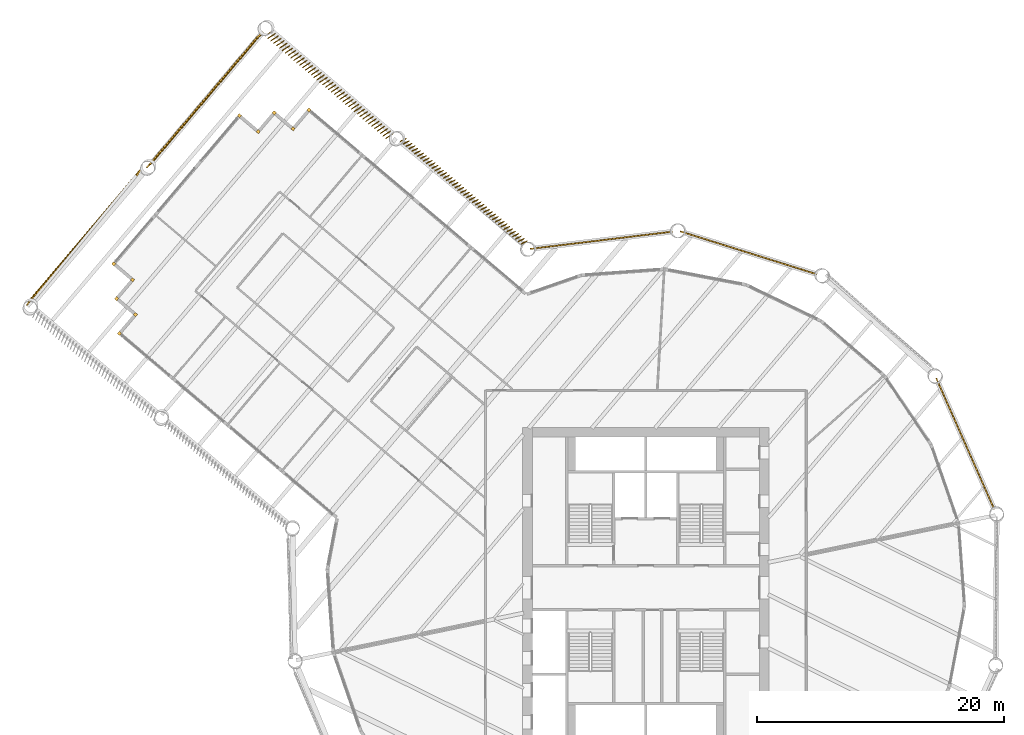
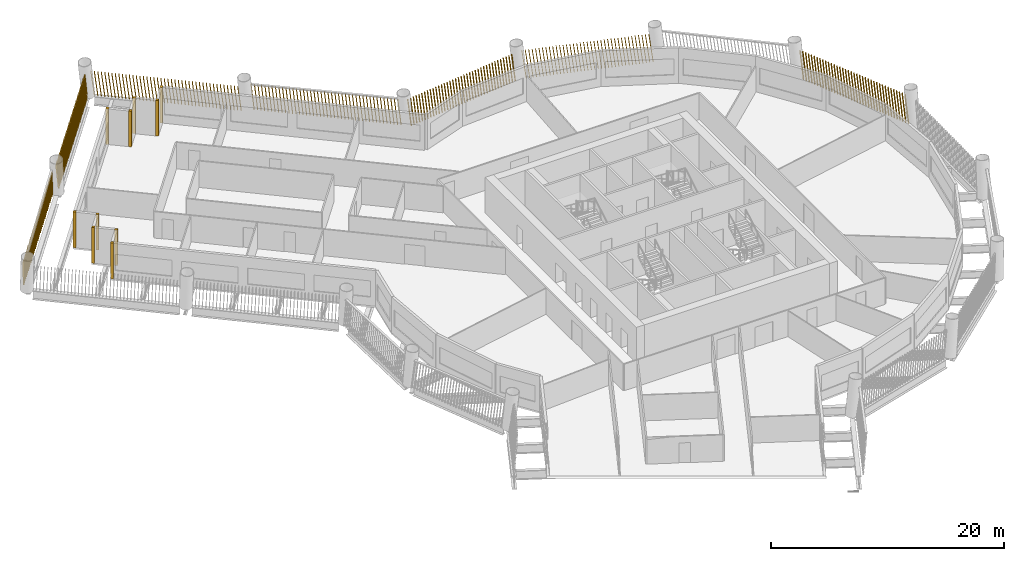
# One storey, part 14 of 16: 17 shading devices.
"""IFC4 building model written with IfcOpenShell, lengths in metres."""

from ifc_helpers import new_model, si_unit, direction, frame, frame_2d, origin, origin_2d, place, context, subcontext, project, spatial, rectangle, composite_profile, extrude, material, type_object, element, save


model = new_model("IFC4")

# Units and contexts
model_context = context("Model", 3, precision=1e-05, world=origin(), true_north=direction((0.0, 1.0)))
body_context = subcontext(model_context, "Body", "Model", "MODEL_VIEW")
ifc_project = project(units=[si_unit("LENGTHUNIT", "METRE"), si_unit("AREAUNIT", "SQUARE_METRE"), si_unit("VOLUMEUNIT", "CUBIC_METRE"), si_unit("PLANEANGLEUNIT", "RADIAN"), si_unit("MASSUNIT", "GRAM", prefix="KILO")], contexts=[model_context])

# Site, building, storey
site_placement = place(None, origin())
site = spatial("IfcSite", under=ifc_project, at=site_placement, CompositionType="ELEMENT")
building_placement = place(site_placement, origin())
building = spatial("IfcBuilding", under=site, at=building_placement, Name="Tarsis Ring Headquarters", CompositionType="ELEMENT")
storey_placement = place(building_placement, frame((0.0, 0.0, 104.5)))
storey = spatial("IfcBuildingStorey", under=building, at=storey_placement, Name="L23", CompositionType="ELEMENT", Elevation=104.5)

# Shading devices
ifc_material = material(Name="Terracotta baguette", Category="masonry")
shading_device_type_1 = type_object("IfcShadingDeviceType", Name="Terracotta baguette screen", PredefinedType="USERDEFINED", material=ifc_material)
shading_device_1_placement = place(storey_placement, frame((28.24267578125, 6.347900390625, 0.0), z_axis=(0.0, 0.0, 1.0), x_axis=(-0.404688008681, 0.914465545307, 0.0)))
element("IfcShadingDevice", 1, at=shading_device_1_placement, inside=storey, type_object=shading_device_type_1, Name="Baguette screen L23-11", ObjectType="Terracotta baguette screen", PredefinedType="USERDEFINED", context=body_context, shape_type="SweptSolid", body=[
    extrude(composite_profile([rectangle(XDim=0.06005859375, YDim=0.1201171875, at=frame_2d((0.030029296875, 0.0))), rectangle(XDim=0.06005859375, YDim=0.1201171875, at=frame_2d((0.33251953125, 0.0))), rectangle(XDim=0.06005859375, YDim=0.1201171875, at=frame_2d((0.634765625, 0.0))), rectangle(XDim=0.06005859375, YDim=0.1201171875, at=frame_2d((0.937255859375, 0.0))), rectangle(XDim=0.06005859375, YDim=0.1201171875, at=frame_2d((1.239501953125, 0.0))), rectangle(XDim=0.06005859375, YDim=0.1201171875, at=frame_2d((1.5419921875, 0.0))), rectangle(XDim=0.06005859375, YDim=0.1201171875, at=frame_2d((1.844482421875, 0.0))), rectangle(XDim=0.06005859375, YDim=0.1201171875, at=frame_2d((2.146728515625, 0.0))), rectangle(XDim=0.06005859375, YDim=0.1201171875, at=frame_2d((2.44921875, 0.0))), rectangle(XDim=0.06005859375, YDim=0.1201171875, at=frame_2d((2.751708984375, 0.0))), rectangle(XDim=0.06005859375, YDim=0.1201171875, at=frame_2d((3.053955078125, 0.0))), rectangle(XDim=0.06005859375, YDim=0.1201171875, at=frame_2d((3.3564453125, 0.0))), rectangle(XDim=0.06005859375, YDim=0.1201171875, at=frame_2d((3.65869140625, 0.0))), rectangle(XDim=0.06005859375, YDim=0.1201171875, at=frame_2d((3.961181640625, 0.0))), rectangle(XDim=0.06005859375, YDim=0.1201171875, at=frame_2d((4.263671875, 0.0))), rectangle(XDim=0.06005859375, YDim=0.1201171875, at=frame_2d((4.56591796875, 0.0))), rectangle(XDim=0.06005859375, YDim=0.1201171875, at=frame_2d((4.868408203125, 0.0))), rectangle(XDim=0.06005859375, YDim=0.1201171875, at=frame_2d((5.1708984375, 0.0))), rectangle(XDim=0.06005859375, YDim=0.1201171875, at=frame_2d((5.47314453125, 0.0))), rectangle(XDim=0.06005859375, YDim=0.1201171875, at=frame_2d((5.775634765625, 0.0))), rectangle(XDim=0.06005859375, YDim=0.1201171875, at=frame_2d((6.077880859375, 0.0))), rectangle(XDim=0.06005859375, YDim=0.1201171875, at=frame_2d((6.38037109375, 0.0))), rectangle(XDim=0.06005859375, YDim=0.1201171875, at=frame_2d((6.682861328125, 0.0))), rectangle(XDim=0.06005859375, YDim=0.1201171875, at=frame_2d((6.985107421875, 0.0))), rectangle(XDim=0.06005859375, YDim=0.1201171875, at=frame_2d((7.28759765625, 0.0))), rectangle(XDim=0.06005859375, YDim=0.1201171875, at=frame_2d((7.590087890625, 0.0))), rectangle(XDim=0.06005859375, YDim=0.1201171875, at=frame_2d((7.892333984375, 0.0))), rectangle(XDim=0.06005859375, YDim=0.1201171875, at=frame_2d((8.19482421875, 0.0))), rectangle(XDim=0.06005859375, YDim=0.1201171875, at=frame_2d((8.4970703125, 0.0))), rectangle(XDim=0.06005859375, YDim=0.1201171875, at=frame_2d((8.799560546875, 0.0))), rectangle(XDim=0.06005859375, YDim=0.1201171875, at=frame_2d((9.10205078125, 0.0))), rectangle(XDim=0.06005859375, YDim=0.1201171875, at=frame_2d((9.404296875, 0.0))), rectangle(XDim=0.06005859375, YDim=0.1201171875, at=frame_2d((9.706787109375, 0.0))), rectangle(XDim=0.06005859375, YDim=0.1201171875, at=frame_2d((10.00927734375, 0.0))), rectangle(XDim=0.06005859375, YDim=0.1201171875, at=frame_2d((10.3115234375, 0.0))), rectangle(XDim=0.06005859375, YDim=0.1201171875, at=frame_2d((10.614013671875, 0.0))), rectangle(XDim=0.06005859375, YDim=0.1201171875, at=frame_2d((10.916259765625, 0.0))), rectangle(XDim=0.06005859375, YDim=0.1201171875, at=frame_2d((11.21875, 0.0)))]), origin(), (0.129811355605, 0.000883637365, 0.991538315518), 2.977783203125),
])
shading_device_2_placement = place(storey_placement, frame((13.8779296875, 25.403564453125, 0.0), z_axis=(0.0, 0.0, 1.0), x_axis=(-0.954009766685, 0.299772110689, 0.0)))
element("IfcShadingDevice", 2, at=shading_device_2_placement, inside=storey, type_object=shading_device_type_1, Name="Baguette screen L23-13", ObjectType="Terracotta baguette screen", PredefinedType="USERDEFINED", context=body_context, shape_type="SweptSolid", body=[
    extrude(composite_profile([rectangle(XDim=0.06005859375, YDim=0.1201171875, at=frame_2d((0.030029296875, 0.0))), rectangle(XDim=0.06005859375, YDim=0.1201171875, at=frame_2d((0.33251953125, 0.0))), rectangle(XDim=0.06005859375, YDim=0.1201171875, at=frame_2d((0.634765625, 0.0))), rectangle(XDim=0.06005859375, YDim=0.1201171875, at=frame_2d((0.937255859375, 0.0))), rectangle(XDim=0.06005859375, YDim=0.1201171875, at=frame_2d((1.239501953125, 0.0))), rectangle(XDim=0.06005859375, YDim=0.1201171875, at=frame_2d((1.5419921875, 0.0))), rectangle(XDim=0.06005859375, YDim=0.1201171875, at=frame_2d((1.844482421875, 0.0))), rectangle(XDim=0.06005859375, YDim=0.1201171875, at=frame_2d((2.146728515625, 0.0))), rectangle(XDim=0.06005859375, YDim=0.1201171875, at=frame_2d((2.44921875, 0.0))), rectangle(XDim=0.06005859375, YDim=0.1201171875, at=frame_2d((2.751708984375, 0.0))), rectangle(XDim=0.06005859375, YDim=0.1201171875, at=frame_2d((3.053955078125, 0.0))), rectangle(XDim=0.06005859375, YDim=0.1201171875, at=frame_2d((3.3564453125, 0.0))), rectangle(XDim=0.06005859375, YDim=0.1201171875, at=frame_2d((3.65869140625, 0.0))), rectangle(XDim=0.06005859375, YDim=0.1201171875, at=frame_2d((3.961181640625, 0.0))), rectangle(XDim=0.06005859375, YDim=0.1201171875, at=frame_2d((4.263671875, 0.0))), rectangle(XDim=0.06005859375, YDim=0.1201171875, at=frame_2d((4.56591796875, 0.0))), rectangle(XDim=0.06005859375, YDim=0.1201171875, at=frame_2d((4.868408203125, 0.0))), rectangle(XDim=0.06005859375, YDim=0.1201171875, at=frame_2d((5.1708984375, 0.0))), rectangle(XDim=0.06005859375, YDim=0.1201171875, at=frame_2d((5.47314453125, 0.0))), rectangle(XDim=0.06005859375, YDim=0.1201171875, at=frame_2d((5.775634765625, 0.0))), rectangle(XDim=0.06005859375, YDim=0.1201171875, at=frame_2d((6.077880859375, 0.0))), rectangle(XDim=0.06005859375, YDim=0.1201171875, at=frame_2d((6.38037109375, 0.0))), rectangle(XDim=0.06005859375, YDim=0.1201171875, at=frame_2d((6.682861328125, 0.0))), rectangle(XDim=0.06005859375, YDim=0.1201171875, at=frame_2d((6.985107421875, 0.0))), rectangle(XDim=0.06005859375, YDim=0.1201171875, at=frame_2d((7.28759765625, 0.0))), rectangle(XDim=0.06005859375, YDim=0.1201171875, at=frame_2d((7.590087890625, 0.0))), rectangle(XDim=0.06005859375, YDim=0.1201171875, at=frame_2d((7.892333984375, 0.0))), rectangle(XDim=0.06005859375, YDim=0.1201171875, at=frame_2d((8.19482421875, 0.0))), rectangle(XDim=0.06005859375, YDim=0.1201171875, at=frame_2d((8.4970703125, 0.0))), rectangle(XDim=0.06005859375, YDim=0.1201171875, at=frame_2d((8.799560546875, 0.0))), rectangle(XDim=0.06005859375, YDim=0.1201171875, at=frame_2d((9.10205078125, 0.0))), rectangle(XDim=0.06005859375, YDim=0.1201171875, at=frame_2d((9.404296875, 0.0))), rectangle(XDim=0.06005859375, YDim=0.1201171875, at=frame_2d((9.706787109375, 0.0))), rectangle(XDim=0.06005859375, YDim=0.1201171875, at=frame_2d((10.00927734375, 0.0))), rectangle(XDim=0.06005859375, YDim=0.1201171875, at=frame_2d((10.3115234375, 0.0))), rectangle(XDim=0.06005859375, YDim=0.1201171875, at=frame_2d((10.614013671875, 0.0))), rectangle(XDim=0.06005859375, YDim=0.1201171875, at=frame_2d((10.916259765625, 0.0))), rectangle(XDim=0.06005859375, YDim=0.1201171875, at=frame_2d((11.21875, 0.0)))]), origin(), (0.129810097166, 0.000883882418, 0.991538480053), 2.977783203125),
])
shading_device_3_placement = place(storey_placement, frame((2.173095703125, 28.865478515625, 0.0), z_axis=(0.0, 0.0, 1.0), x_axis=(-0.992751106867, -0.120105911972, 0.0)))
element("IfcShadingDevice", 3, at=shading_device_3_placement, inside=storey, type_object=shading_device_type_1, Name="Baguette screen L23-14", ObjectType="Terracotta baguette screen", PredefinedType="USERDEFINED", context=body_context, shape_type="SweptSolid", body=[
    extrude(composite_profile([rectangle(XDim=0.06005859375, YDim=0.1201171875, at=frame_2d((0.030029296875, 0.0))), rectangle(XDim=0.06005859375, YDim=0.1201171875, at=frame_2d((0.33251953125, 0.0))), rectangle(XDim=0.06005859375, YDim=0.1201171875, at=frame_2d((0.634765625, 0.0))), rectangle(XDim=0.06005859375, YDim=0.1201171875, at=frame_2d((0.937255859375, 0.0))), rectangle(XDim=0.06005859375, YDim=0.1201171875, at=frame_2d((1.239501953125, 0.0))), rectangle(XDim=0.06005859375, YDim=0.1201171875, at=frame_2d((1.5419921875, 0.0))), rectangle(XDim=0.06005859375, YDim=0.1201171875, at=frame_2d((1.844482421875, 0.0))), rectangle(XDim=0.06005859375, YDim=0.1201171875, at=frame_2d((2.146728515625, 0.0))), rectangle(XDim=0.06005859375, YDim=0.1201171875, at=frame_2d((2.44921875, 0.0))), rectangle(XDim=0.06005859375, YDim=0.1201171875, at=frame_2d((2.751708984375, 0.0))), rectangle(XDim=0.06005859375, YDim=0.1201171875, at=frame_2d((3.053955078125, 0.0))), rectangle(XDim=0.06005859375, YDim=0.1201171875, at=frame_2d((3.3564453125, 0.0))), rectangle(XDim=0.06005859375, YDim=0.1201171875, at=frame_2d((3.65869140625, 0.0))), rectangle(XDim=0.06005859375, YDim=0.1201171875, at=frame_2d((3.961181640625, 0.0))), rectangle(XDim=0.06005859375, YDim=0.1201171875, at=frame_2d((4.263671875, 0.0))), rectangle(XDim=0.06005859375, YDim=0.1201171875, at=frame_2d((4.56591796875, 0.0))), rectangle(XDim=0.06005859375, YDim=0.1201171875, at=frame_2d((4.868408203125, 0.0))), rectangle(XDim=0.06005859375, YDim=0.1201171875, at=frame_2d((5.1708984375, 0.0))), rectangle(XDim=0.06005859375, YDim=0.1201171875, at=frame_2d((5.47314453125, 0.0))), rectangle(XDim=0.06005859375, YDim=0.1201171875, at=frame_2d((5.775634765625, 0.0))), rectangle(XDim=0.06005859375, YDim=0.1201171875, at=frame_2d((6.077880859375, 0.0))), rectangle(XDim=0.06005859375, YDim=0.1201171875, at=frame_2d((6.38037109375, 0.0))), rectangle(XDim=0.06005859375, YDim=0.1201171875, at=frame_2d((6.682861328125, 0.0))), rectangle(XDim=0.06005859375, YDim=0.1201171875, at=frame_2d((6.985107421875, 0.0))), rectangle(XDim=0.06005859375, YDim=0.1201171875, at=frame_2d((7.28759765625, 0.0))), rectangle(XDim=0.06005859375, YDim=0.1201171875, at=frame_2d((7.590087890625, 0.0))), rectangle(XDim=0.06005859375, YDim=0.1201171875, at=frame_2d((7.892333984375, 0.0))), rectangle(XDim=0.06005859375, YDim=0.1201171875, at=frame_2d((8.19482421875, 0.0))), rectangle(XDim=0.06005859375, YDim=0.1201171875, at=frame_2d((8.4970703125, 0.0))), rectangle(XDim=0.06005859375, YDim=0.1201171875, at=frame_2d((8.799560546875, 0.0))), rectangle(XDim=0.06005859375, YDim=0.1201171875, at=frame_2d((9.10205078125, 0.0))), rectangle(XDim=0.06005859375, YDim=0.1201171875, at=frame_2d((9.404296875, 0.0))), rectangle(XDim=0.06005859375, YDim=0.1201171875, at=frame_2d((9.706787109375, 0.0))), rectangle(XDim=0.06005859375, YDim=0.1201171875, at=frame_2d((10.00927734375, 0.0))), rectangle(XDim=0.06005859375, YDim=0.1201171875, at=frame_2d((10.3115234375, 0.0))), rectangle(XDim=0.06005859375, YDim=0.1201171875, at=frame_2d((10.614013671875, 0.0))), rectangle(XDim=0.06005859375, YDim=0.1201171875, at=frame_2d((10.916259765625, 0.0))), rectangle(XDim=0.06005859375, YDim=0.1201171875, at=frame_2d((11.21875, 0.0)))]), origin(), (0.129808766173, 0.000884643862, 0.991538653624), 2.977783203125),
])
shading_device_4_placement = place(storey_placement, frame((-9.629638671875, 28.063720703125, 0.0), z_axis=(0.0, 0.0, 1.0), x_axis=(-0.762673377864, 0.646791681647, 0.0)))
element("IfcShadingDevice", 4, at=shading_device_4_placement, inside=storey, type_object=shading_device_type_1, Name="Baguette screen L23-15", ObjectType="Terracotta baguette screen", PredefinedType="USERDEFINED", context=body_context, shape_type="SweptSolid", body=[
    extrude(composite_profile([rectangle(XDim=0.06005859375, YDim=0.1201171875, at=frame_2d((0.030029296875, 0.0))), rectangle(XDim=0.06005859375, YDim=0.1201171875, at=frame_2d((0.335693359375, 0.0))), rectangle(XDim=0.06005859375, YDim=0.1201171875, at=frame_2d((0.6416015625, 0.0))), rectangle(XDim=0.06005859375, YDim=0.1201171875, at=frame_2d((0.947265625, 0.0))), rectangle(XDim=0.06005859375, YDim=0.1201171875, at=frame_2d((1.253173828125, 0.0))), rectangle(XDim=0.06005859375, YDim=0.1201171875, at=frame_2d((1.558837890625, 0.0))), rectangle(XDim=0.06005859375, YDim=0.1201171875, at=frame_2d((1.864501953125, 0.0))), rectangle(XDim=0.06005859375, YDim=0.1201171875, at=frame_2d((2.17041015625, 0.0))), rectangle(XDim=0.06005859375, YDim=0.1201171875, at=frame_2d((2.47607421875, 0.0))), rectangle(XDim=0.06005859375, YDim=0.1201171875, at=frame_2d((2.781982421875, 0.0))), rectangle(XDim=0.06005859375, YDim=0.1201171875, at=frame_2d((3.087646484375, 0.0))), rectangle(XDim=0.06005859375, YDim=0.1201171875, at=frame_2d((3.393310546875, 0.0))), rectangle(XDim=0.06005859375, YDim=0.1201171875, at=frame_2d((3.69921875, 0.0))), rectangle(XDim=0.06005859375, YDim=0.1201171875, at=frame_2d((4.0048828125, 0.0))), rectangle(XDim=0.06005859375, YDim=0.1201171875, at=frame_2d((4.310791015625, 0.0))), rectangle(XDim=0.06005859375, YDim=0.1201171875, at=frame_2d((4.616455078125, 0.0))), rectangle(XDim=0.06005859375, YDim=0.1201171875, at=frame_2d((4.922119140625, 0.0))), rectangle(XDim=0.06005859375, YDim=0.1201171875, at=frame_2d((5.22802734375, 0.0))), rectangle(XDim=0.06005859375, YDim=0.1201171875, at=frame_2d((5.53369140625, 0.0))), rectangle(XDim=0.06005859375, YDim=0.1201171875, at=frame_2d((5.839599609375, 0.0))), rectangle(XDim=0.06005859375, YDim=0.1201171875, at=frame_2d((6.145263671875, 0.0))), rectangle(XDim=0.06005859375, YDim=0.1201171875, at=frame_2d((6.451171875, 0.0))), rectangle(XDim=0.06005859375, YDim=0.1201171875, at=frame_2d((6.7568359375, 0.0))), rectangle(XDim=0.06005859375, YDim=0.1201171875, at=frame_2d((7.0625, 0.0))), rectangle(XDim=0.06005859375, YDim=0.1201171875, at=frame_2d((7.368408203125, 0.0))), rectangle(XDim=0.06005859375, YDim=0.1201171875, at=frame_2d((7.674072265625, 0.0))), rectangle(XDim=0.06005859375, YDim=0.1201171875, at=frame_2d((7.97998046875, 0.0))), rectangle(XDim=0.06005859375, YDim=0.1201171875, at=frame_2d((8.28564453125, 0.0))), rectangle(XDim=0.06005859375, YDim=0.1201171875, at=frame_2d((8.59130859375, 0.0))), rectangle(XDim=0.06005859375, YDim=0.1201171875, at=frame_2d((8.897216796875, 0.0))), rectangle(XDim=0.06005859375, YDim=0.1201171875, at=frame_2d((9.202880859375, 0.0))), rectangle(XDim=0.06005859375, YDim=0.1201171875, at=frame_2d((9.5087890625, 0.0))), rectangle(XDim=0.06005859375, YDim=0.1201171875, at=frame_2d((9.814453125, 0.0))), rectangle(XDim=0.06005859375, YDim=0.1201171875, at=frame_2d((10.1201171875, 0.0))), rectangle(XDim=0.06005859375, YDim=0.1201171875, at=frame_2d((10.426025390625, 0.0))), rectangle(XDim=0.06005859375, YDim=0.1201171875, at=frame_2d((10.731689453125, 0.0))), rectangle(XDim=0.06005859375, YDim=0.1201171875, at=frame_2d((11.03759765625, 0.0))), rectangle(XDim=0.06005859375, YDim=0.1201171875, at=frame_2d((11.34326171875, 0.0))), rectangle(XDim=0.06005859375, YDim=0.1201171875, at=frame_2d((11.64892578125, 0.0))), rectangle(XDim=0.06005859375, YDim=0.1201171875, at=frame_2d((11.954833984375, 0.0))), rectangle(XDim=0.06005859375, YDim=0.1201171875, at=frame_2d((12.260498046875, 0.0))), rectangle(XDim=0.06005859375, YDim=0.1201171875, at=frame_2d((12.56640625, 0.0))), rectangle(XDim=0.06005859375, YDim=0.1201171875, at=frame_2d((12.8720703125, 0.0)))]), origin(), (0.06806323148, 0.145840660509, 0.986963980226), 2.99169921875),
])
shading_device_5_placement = place(storey_placement, frame((-20.474853515625, 36.76953125, 0.0), z_axis=(0.0, 0.0, 1.0), x_axis=(-0.762677868604, 0.646779442931, 0.0)))
element("IfcShadingDevice", 5, at=shading_device_5_placement, inside=storey, type_object=shading_device_type_1, Name="Baguette screen L23-16", ObjectType="Terracotta baguette screen", PredefinedType="USERDEFINED", context=body_context, shape_type="SweptSolid", body=[
    extrude(composite_profile([rectangle(XDim=0.06005859375, YDim=0.1201171875, at=frame_2d((0.030029296875, 0.0))), rectangle(XDim=0.06005859375, YDim=0.1201171875, at=frame_2d((0.335693359375, 0.0))), rectangle(XDim=0.06005859375, YDim=0.1201171875, at=frame_2d((0.6416015625, 0.0))), rectangle(XDim=0.06005859375, YDim=0.1201171875, at=frame_2d((0.947265625, 0.0))), rectangle(XDim=0.06005859375, YDim=0.1201171875, at=frame_2d((1.253173828125, 0.0))), rectangle(XDim=0.06005859375, YDim=0.1201171875, at=frame_2d((1.558837890625, 0.0))), rectangle(XDim=0.06005859375, YDim=0.1201171875, at=frame_2d((1.864501953125, 0.0))), rectangle(XDim=0.06005859375, YDim=0.1201171875, at=frame_2d((2.17041015625, 0.0))), rectangle(XDim=0.06005859375, YDim=0.1201171875, at=frame_2d((2.47607421875, 0.0))), rectangle(XDim=0.06005859375, YDim=0.1201171875, at=frame_2d((2.781982421875, 0.0))), rectangle(XDim=0.06005859375, YDim=0.1201171875, at=frame_2d((3.087646484375, 0.0))), rectangle(XDim=0.06005859375, YDim=0.1201171875, at=frame_2d((3.393310546875, 0.0))), rectangle(XDim=0.06005859375, YDim=0.1201171875, at=frame_2d((3.69921875, 0.0))), rectangle(XDim=0.06005859375, YDim=0.1201171875, at=frame_2d((4.0048828125, 0.0))), rectangle(XDim=0.06005859375, YDim=0.1201171875, at=frame_2d((4.310791015625, 0.0))), rectangle(XDim=0.06005859375, YDim=0.1201171875, at=frame_2d((4.616455078125, 0.0))), rectangle(XDim=0.06005859375, YDim=0.1201171875, at=frame_2d((4.922119140625, 0.0))), rectangle(XDim=0.06005859375, YDim=0.1201171875, at=frame_2d((5.22802734375, 0.0))), rectangle(XDim=0.06005859375, YDim=0.1201171875, at=frame_2d((5.53369140625, 0.0))), rectangle(XDim=0.06005859375, YDim=0.1201171875, at=frame_2d((5.839599609375, 0.0))), rectangle(XDim=0.06005859375, YDim=0.1201171875, at=frame_2d((6.145263671875, 0.0))), rectangle(XDim=0.06005859375, YDim=0.1201171875, at=frame_2d((6.451171875, 0.0))), rectangle(XDim=0.06005859375, YDim=0.1201171875, at=frame_2d((6.7568359375, 0.0))), rectangle(XDim=0.06005859375, YDim=0.1201171875, at=frame_2d((7.0625, 0.0))), rectangle(XDim=0.06005859375, YDim=0.1201171875, at=frame_2d((7.368408203125, 0.0))), rectangle(XDim=0.06005859375, YDim=0.1201171875, at=frame_2d((7.674072265625, 0.0))), rectangle(XDim=0.06005859375, YDim=0.1201171875, at=frame_2d((7.97998046875, 0.0))), rectangle(XDim=0.06005859375, YDim=0.1201171875, at=frame_2d((8.28564453125, 0.0))), rectangle(XDim=0.06005859375, YDim=0.1201171875, at=frame_2d((8.59130859375, 0.0))), rectangle(XDim=0.06005859375, YDim=0.1201171875, at=frame_2d((8.897216796875, 0.0))), rectangle(XDim=0.06005859375, YDim=0.1201171875, at=frame_2d((9.202880859375, 0.0))), rectangle(XDim=0.06005859375, YDim=0.1201171875, at=frame_2d((9.5087890625, 0.0))), rectangle(XDim=0.06005859375, YDim=0.1201171875, at=frame_2d((9.814453125, 0.0))), rectangle(XDim=0.06005859375, YDim=0.1201171875, at=frame_2d((10.1201171875, 0.0))), rectangle(XDim=0.06005859375, YDim=0.1201171875, at=frame_2d((10.426025390625, 0.0))), rectangle(XDim=0.06005859375, YDim=0.1201171875, at=frame_2d((10.731689453125, 0.0))), rectangle(XDim=0.06005859375, YDim=0.1201171875, at=frame_2d((11.03759765625, 0.0))), rectangle(XDim=0.06005859375, YDim=0.1201171875, at=frame_2d((11.34326171875, 0.0))), rectangle(XDim=0.06005859375, YDim=0.1201171875, at=frame_2d((11.64892578125, 0.0))), rectangle(XDim=0.06005859375, YDim=0.1201171875, at=frame_2d((11.954833984375, 0.0))), rectangle(XDim=0.06005859375, YDim=0.1201171875, at=frame_2d((12.260498046875, 0.0))), rectangle(XDim=0.06005859375, YDim=0.1201171875, at=frame_2d((12.56640625, 0.0))), rectangle(XDim=0.06005859375, YDim=0.1201171875, at=frame_2d((12.8720703125, 0.0)))]), origin(), (0.065210004982, 0.206809333639, 0.976205692859), 3.024658203125),
])
shading_device_6_placement = place(storey_placement, frame((-31.019775390625, 45.056640625, 0.0), z_axis=(0.0, 0.0, 1.0), x_axis=(-0.646793454224, -0.762671384343, 0.0)))
element("IfcShadingDevice", 6, at=shading_device_6_placement, inside=storey, type_object=shading_device_type_1, Name="Baguette screen L23-17", ObjectType="Terracotta baguette screen", PredefinedType="USERDEFINED", context=body_context, shape_type="SweptSolid", body=[
    extrude(composite_profile([rectangle(XDim=0.06005859375, YDim=0.1201171875, at=frame_2d((0.030029296875, 0.0))), rectangle(XDim=0.06005859375, YDim=0.1201171875, at=frame_2d((0.33544921875, 0.0))), rectangle(XDim=0.06005859375, YDim=0.1201171875, at=frame_2d((0.640625, 0.0))), rectangle(XDim=0.06005859375, YDim=0.1201171875, at=frame_2d((0.946044921875, 0.0))), rectangle(XDim=0.06005859375, YDim=0.1201171875, at=frame_2d((1.25146484375, 0.0))), rectangle(XDim=0.06005859375, YDim=0.1201171875, at=frame_2d((1.556640625, 0.0))), rectangle(XDim=0.06005859375, YDim=0.1201171875, at=frame_2d((1.862060546875, 0.0))), rectangle(XDim=0.06005859375, YDim=0.1201171875, at=frame_2d((2.16748046875, 0.0))), rectangle(XDim=0.06005859375, YDim=0.1201171875, at=frame_2d((2.47265625, 0.0))), rectangle(XDim=0.06005859375, YDim=0.1201171875, at=frame_2d((2.778076171875, 0.0))), rectangle(XDim=0.06005859375, YDim=0.1201171875, at=frame_2d((3.08349609375, 0.0))), rectangle(XDim=0.06005859375, YDim=0.1201171875, at=frame_2d((3.388671875, 0.0))), rectangle(XDim=0.06005859375, YDim=0.1201171875, at=frame_2d((3.694091796875, 0.0))), rectangle(XDim=0.06005859375, YDim=0.1201171875, at=frame_2d((3.99951171875, 0.0))), rectangle(XDim=0.06005859375, YDim=0.1201171875, at=frame_2d((4.3046875, 0.0))), rectangle(XDim=0.06005859375, YDim=0.1201171875, at=frame_2d((4.610107421875, 0.0))), rectangle(XDim=0.06005859375, YDim=0.1201171875, at=frame_2d((4.91552734375, 0.0))), rectangle(XDim=0.06005859375, YDim=0.1201171875, at=frame_2d((5.220703125, 0.0))), rectangle(XDim=0.06005859375, YDim=0.1201171875, at=frame_2d((5.526123046875, 0.0))), rectangle(XDim=0.06005859375, YDim=0.1201171875, at=frame_2d((5.83154296875, 0.0))), rectangle(XDim=0.06005859375, YDim=0.1201171875, at=frame_2d((6.13671875, 0.0))), rectangle(XDim=0.06005859375, YDim=0.1201171875, at=frame_2d((6.442138671875, 0.0))), rectangle(XDim=0.06005859375, YDim=0.1201171875, at=frame_2d((6.74755859375, 0.0))), rectangle(XDim=0.06005859375, YDim=0.1201171875, at=frame_2d((7.052734375, 0.0))), rectangle(XDim=0.06005859375, YDim=0.1201171875, at=frame_2d((7.358154296875, 0.0))), rectangle(XDim=0.06005859375, YDim=0.1201171875, at=frame_2d((7.66357421875, 0.0))), rectangle(XDim=0.06005859375, YDim=0.1201171875, at=frame_2d((7.96875, 0.0))), rectangle(XDim=0.06005859375, YDim=0.1201171875, at=frame_2d((8.274169921875, 0.0))), rectangle(XDim=0.06005859375, YDim=0.1201171875, at=frame_2d((8.57958984375, 0.0))), rectangle(XDim=0.06005859375, YDim=0.1201171875, at=frame_2d((8.884765625, 0.0))), rectangle(XDim=0.06005859375, YDim=0.1201171875, at=frame_2d((9.190185546875, 0.0))), rectangle(XDim=0.06005859375, YDim=0.1201171875, at=frame_2d((9.49560546875, 0.0))), rectangle(XDim=0.06005859375, YDim=0.1201171875, at=frame_2d((9.80078125, 0.0))), rectangle(XDim=0.06005859375, YDim=0.1201171875, at=frame_2d((10.106201171875, 0.0))), rectangle(XDim=0.06005859375, YDim=0.1201171875, at=frame_2d((10.41162109375, 0.0))), rectangle(XDim=0.06005859375, YDim=0.1201171875, at=frame_2d((10.716796875, 0.0))), rectangle(XDim=0.06005859375, YDim=0.1201171875, at=frame_2d((11.022216796875, 0.0))), rectangle(XDim=0.06005859375, YDim=0.1201171875, at=frame_2d((11.32763671875, 0.0))), rectangle(XDim=0.06005859375, YDim=0.1201171875, at=frame_2d((11.6328125, 0.0))), rectangle(XDim=0.06005859375, YDim=0.1201171875, at=frame_2d((11.938232421875, 0.0))), rectangle(XDim=0.06005859375, YDim=0.1201171875, at=frame_2d((12.24365234375, 0.0))), rectangle(XDim=0.06005859375, YDim=0.1201171875, at=frame_2d((12.548828125, 0.0))), rectangle(XDim=0.06005859375, YDim=0.1201171875, at=frame_2d((12.854248046875, 0.0))), rectangle(XDim=0.06005859375, YDim=0.1201171875, at=frame_2d((13.15966796875, 0.0))), rectangle(XDim=0.06005859375, YDim=0.1201171875, at=frame_2d((13.46484375, 0.0))), rectangle(XDim=0.06005859375, YDim=0.1201171875, at=frame_2d((13.770263671875, 0.0)))]), origin(), (0.236623644584, -0.031522199172, 0.971089904068), 3.04052734375),
])
shading_device_7_placement = place(storey_placement, frame((-40.878173828125, 34.01171875, 0.0), z_axis=(0.0, 0.0, 1.0), x_axis=(-0.646793454224, -0.762671384343, 0.0)))
element("IfcShadingDevice", 7, at=shading_device_7_placement, inside=storey, type_object=shading_device_type_1, Name="Baguette screen L23-18", ObjectType="Terracotta baguette screen", PredefinedType="USERDEFINED", context=body_context, shape_type="SweptSolid", body=[
    extrude(composite_profile([rectangle(XDim=0.06005859375, YDim=0.1201171875, at=frame_2d((0.030029296875, 0.0))), rectangle(XDim=0.06005859375, YDim=0.1201171875, at=frame_2d((0.33544921875, 0.0))), rectangle(XDim=0.06005859375, YDim=0.1201171875, at=frame_2d((0.640625, 0.0))), rectangle(XDim=0.06005859375, YDim=0.1201171875, at=frame_2d((0.946044921875, 0.0))), rectangle(XDim=0.06005859375, YDim=0.1201171875, at=frame_2d((1.25146484375, 0.0))), rectangle(XDim=0.06005859375, YDim=0.1201171875, at=frame_2d((1.556640625, 0.0))), rectangle(XDim=0.06005859375, YDim=0.1201171875, at=frame_2d((1.862060546875, 0.0))), rectangle(XDim=0.06005859375, YDim=0.1201171875, at=frame_2d((2.16748046875, 0.0))), rectangle(XDim=0.06005859375, YDim=0.1201171875, at=frame_2d((2.47265625, 0.0))), rectangle(XDim=0.06005859375, YDim=0.1201171875, at=frame_2d((2.778076171875, 0.0))), rectangle(XDim=0.06005859375, YDim=0.1201171875, at=frame_2d((3.08349609375, 0.0))), rectangle(XDim=0.06005859375, YDim=0.1201171875, at=frame_2d((3.388671875, 0.0))), rectangle(XDim=0.06005859375, YDim=0.1201171875, at=frame_2d((3.694091796875, 0.0))), rectangle(XDim=0.06005859375, YDim=0.1201171875, at=frame_2d((3.99951171875, 0.0))), rectangle(XDim=0.06005859375, YDim=0.1201171875, at=frame_2d((4.3046875, 0.0))), rectangle(XDim=0.06005859375, YDim=0.1201171875, at=frame_2d((4.610107421875, 0.0))), rectangle(XDim=0.06005859375, YDim=0.1201171875, at=frame_2d((4.91552734375, 0.0))), rectangle(XDim=0.06005859375, YDim=0.1201171875, at=frame_2d((5.220703125, 0.0))), rectangle(XDim=0.06005859375, YDim=0.1201171875, at=frame_2d((5.526123046875, 0.0))), rectangle(XDim=0.06005859375, YDim=0.1201171875, at=frame_2d((5.83154296875, 0.0))), rectangle(XDim=0.06005859375, YDim=0.1201171875, at=frame_2d((6.13671875, 0.0))), rectangle(XDim=0.06005859375, YDim=0.1201171875, at=frame_2d((6.442138671875, 0.0))), rectangle(XDim=0.06005859375, YDim=0.1201171875, at=frame_2d((6.74755859375, 0.0))), rectangle(XDim=0.06005859375, YDim=0.1201171875, at=frame_2d((7.052734375, 0.0))), rectangle(XDim=0.06005859375, YDim=0.1201171875, at=frame_2d((7.358154296875, 0.0))), rectangle(XDim=0.06005859375, YDim=0.1201171875, at=frame_2d((7.66357421875, 0.0))), rectangle(XDim=0.06005859375, YDim=0.1201171875, at=frame_2d((7.96875, 0.0))), rectangle(XDim=0.06005859375, YDim=0.1201171875, at=frame_2d((8.274169921875, 0.0))), rectangle(XDim=0.06005859375, YDim=0.1201171875, at=frame_2d((8.57958984375, 0.0))), rectangle(XDim=0.06005859375, YDim=0.1201171875, at=frame_2d((8.884765625, 0.0))), rectangle(XDim=0.06005859375, YDim=0.1201171875, at=frame_2d((9.190185546875, 0.0))), rectangle(XDim=0.06005859375, YDim=0.1201171875, at=frame_2d((9.49560546875, 0.0))), rectangle(XDim=0.06005859375, YDim=0.1201171875, at=frame_2d((9.80078125, 0.0))), rectangle(XDim=0.06005859375, YDim=0.1201171875, at=frame_2d((10.106201171875, 0.0))), rectangle(XDim=0.06005859375, YDim=0.1201171875, at=frame_2d((10.41162109375, 0.0))), rectangle(XDim=0.06005859375, YDim=0.1201171875, at=frame_2d((10.716796875, 0.0))), rectangle(XDim=0.06005859375, YDim=0.1201171875, at=frame_2d((11.022216796875, 0.0))), rectangle(XDim=0.06005859375, YDim=0.1201171875, at=frame_2d((11.32763671875, 0.0))), rectangle(XDim=0.06005859375, YDim=0.1201171875, at=frame_2d((11.6328125, 0.0))), rectangle(XDim=0.06005859375, YDim=0.1201171875, at=frame_2d((11.938232421875, 0.0))), rectangle(XDim=0.06005859375, YDim=0.1201171875, at=frame_2d((12.24365234375, 0.0))), rectangle(XDim=0.06005859375, YDim=0.1201171875, at=frame_2d((12.548828125, 0.0))), rectangle(XDim=0.06005859375, YDim=0.1201171875, at=frame_2d((12.854248046875, 0.0))), rectangle(XDim=0.06005859375, YDim=0.1201171875, at=frame_2d((13.15966796875, 0.0))), rectangle(XDim=0.06005859375, YDim=0.1201171875, at=frame_2d((13.46484375, 0.0))), rectangle(XDim=0.06005859375, YDim=0.1201171875, at=frame_2d((13.770263671875, 0.0)))]), origin(), (0.237756674256, 0.034738368219, 0.9707033582), 3.041748046875),
])
shading_device_type_2 = type_object("IfcShadingDeviceType", Name="Terracotta corner baguette 250x250", PredefinedType="USERDEFINED", material=ifc_material)
for number, where, z_axis, x_axis, name in (
    (8, (-42.66796875, 20.61474609375, 0.0), (0.0, 0.0, 1.0), (-0.646789819444, -0.76266829583, 0.0), "Corner baguette L23-01"),
    (9, (-27.306884765625, 38.728271484375, 0.0), (0.0, 0.0, 1.0), (-0.762668363562, 0.646789739577, 0.0), "Corner baguette L23-32"),
    (10, (-28.600341796875, 37.202880859375, 0.0), (0.0, 0.0, 1.0), (-0.64678977951, -0.762668329696, 0.0), "Corner baguette L23-33"),
    (11, (-30.125732421875, 38.496337890625, 0.0), (0.0, 0.0, 1.0), (-0.76266829583, 0.646789819444, 0.0), "Corner baguette L23-34"),
    (12, (-31.419189453125, 36.97119140625, 0.0), (0.0, 0.0, 1.0), (-0.646789819444, -0.76266829583, 0.0), "Corner baguette L23-35"),
    (13, (-32.944580078125, 38.2646484375, 0.0), (0.0, 0.0, 1.0), (-0.762668329696, 0.64678977951, 0.0), "Corner baguette L23-36"),
    (14, (-43.131591796875, 26.252685546875, 0.0), (0.0, 0.0, 1.0), (-0.646789806133, -0.762668307118, 0.0), "Corner baguette L23-37"),
    (15, (-41.606201171875, 24.958984375, 0.0), (0.0, 0.0, 1.0), (0.76266829583, -0.646789819444, 0.0), "Corner baguette L23-38"),
    (16, (-42.89990234375, 23.43359375, 0.0), (0.0, 0.0, 1.0), (-0.64678977951, -0.762668329696, 0.0), "Corner baguette L23-39"),
    (17, (-41.37451171875, 22.14013671875, 0.0), (0.0, 0.0, 1.0), (0.762668329696, -0.64678977951, 0.0), "Corner baguette L23-40"),
):
    element("IfcShadingDevice", number, at=place(storey_placement, frame(where, z_axis=z_axis, x_axis=x_axis)), inside=storey, type_object=shading_device_type_2, Name=name, ObjectType="Terracotta corner baguette", PredefinedType="USERDEFINED", context=body_context, shape_type="SweptSolid", body=[
        extrude(rectangle(XDim=0.25, YDim=0.25, at=origin_2d()), origin(), (0.0, 0.0, 1.0), 3.739990234375),
    ])

save(model, "model.ifc")
